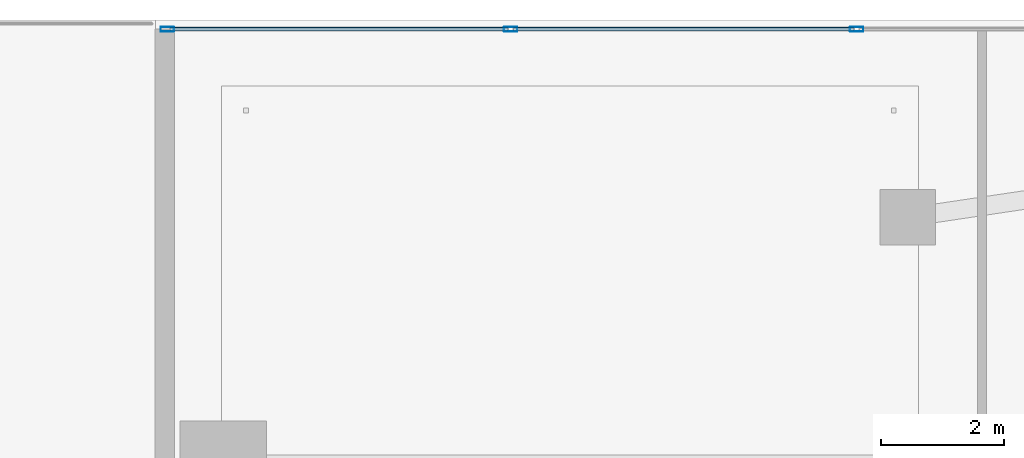
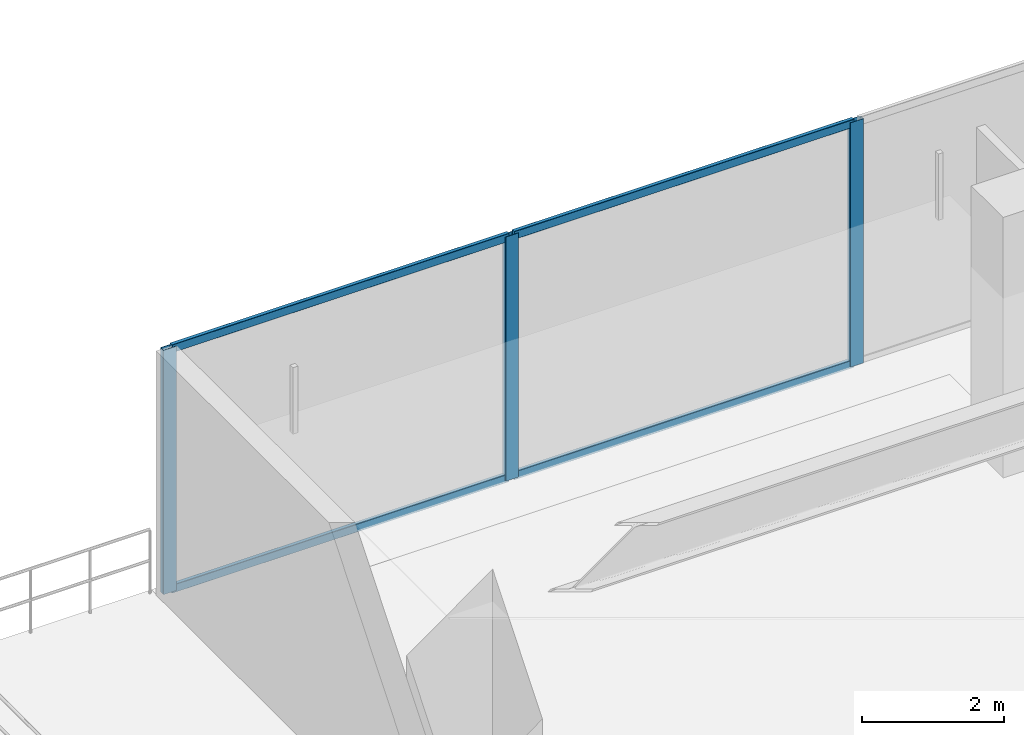
# One storey, part 9 of 29: 7 members, 1 element without a shape of its own.
"""IFC4 building model written with IfcOpenShell, lengths in metres."""

from ifc_helpers import new_model, si_unit, direction, frame, origin, origin_2d, place, context, subcontext, project, spatial, hollow_rectangle, extrude, material, layer, layer_set, material_profile, profile_set, type_object, element, aggregate, save


model = new_model("IFC4")

# Units and contexts
model_context = context("Model", 3, precision=1e-05, world=origin(), true_north=direction((0.0, 1.0)))
body_context = subcontext(model_context, "Body", "Model", "MODEL_VIEW")
ifc_project = project(units=[si_unit("LENGTHUNIT", "METRE"), si_unit("AREAUNIT", "SQUARE_METRE"), si_unit("VOLUMEUNIT", "CUBIC_METRE"), si_unit("PLANEANGLEUNIT", "RADIAN"), si_unit("MASSUNIT", "GRAM", prefix="KILO")], contexts=[model_context])

# Site, building, storey
site_placement = place(None, origin())
site = spatial("IfcSite", under=ifc_project, at=site_placement, CompositionType="ELEMENT")
building_placement = place(site_placement, origin())
building = spatial("IfcBuilding", under=site, at=building_placement, Name="Tarnavaz Court Tower", CompositionType="ELEMENT")
storey_placement = place(building_placement, frame((0.0, 0.0, 5.39990234375)))
storey = spatial("IfcBuildingStorey", under=building, at=storey_placement, Name="L01", CompositionType="ELEMENT", Elevation=5.39990234375)

# Curtain wall, members
ifc_material_1 = material(Name="Anodised Aluminium 6063-T6 and Solar Low-E Glazing", Category="aluminium")
ifc_layer = layer(ifc_material_1, 0.18994140625)
ifc_layer_set = layer_set([ifc_layer], Name="Anodised Aluminium 6063-T6 and Solar Low-E Glazing")
curtain_wall_type = type_object("IfcCurtainWallType", Name="CW-SYS-01", PredefinedType="NOTDEFINED", material=ifc_layer_set)
curtain_wall_placement = place(storey_placement, origin())
curtain_wall = element("IfcCurtainWall", 1, at=curtain_wall_placement, inside=storey, type_object=curtain_wall_type, Name="L01 Clinic Podium Curtain Wall 1", PredefinedType="NOTDEFINED")
ifc_material_2 = material(Name="Anodised Aluminium 6063-T6", Category="aluminium")
ifc_material_profile_1 = material_profile(ifc_material_2, hollow_rectangle(XDim=0.0849609375, YDim=0.219970703125, WallThickness=0.006103515625, InnerFilletRadius=0.006103515625, OuterFilletRadius=0.011962890625, at=origin_2d()), Name="ALU RHS 220X85X6")
ifc_profile_set_1 = profile_set([ifc_material_profile_1], Name="Anodised Aluminium 6063-T6")
member_type_1 = type_object("IfcMemberType", Name="CW-MUL-220", PredefinedType="MULLION", material=ifc_profile_set_1)
member_1_placement = place(storey_placement, frame((-28.8076171875, 29.85009765625, 0.0), z_axis=(0.0, 0.0, 1.0), x_axis=(0.0, 1.0, 0.0)))
member_1 = element("IfcMember", 2, at=member_1_placement, type_object=member_type_1, Name="CW mullion 1", PredefinedType="MULLION", context=body_context, shape_type="SweptSolid", body=[
    extrude(hollow_rectangle(XDim=0.0849609375, YDim=0.219970703125, WallThickness=0.006103515625, InnerFilletRadius=0.006103515625, OuterFilletRadius=0.011962890625, at=origin_2d()), origin(), (0.0, 0.0, 1.0), 4.2001953125),
])
member_2_placement = place(storey_placement, frame((-23.240966796875, 29.85009765625, 0.0), z_axis=(0.0, 0.0, 1.0), x_axis=(0.0, 1.0, 0.0)))
member_2 = element("IfcMember", 3, at=member_2_placement, type_object=member_type_1, Name="CW mullion 2", PredefinedType="MULLION", context=body_context, shape_type="SweptSolid", body=[
    extrude(hollow_rectangle(XDim=0.0849609375, YDim=0.219970703125, WallThickness=0.006103515625, InnerFilletRadius=0.006103515625, OuterFilletRadius=0.011962890625, at=origin_2d()), origin(), (0.0, 0.0, 1.0), 4.2001953125),
])
member_3_placement = place(storey_placement, frame((-17.6318359375, 29.85009765625, 0.0), z_axis=(0.0, 0.0, 1.0), x_axis=(0.0, 1.0, 0.0)))
member_3 = element("IfcMember", 4, at=member_3_placement, type_object=member_type_1, Name="CW mullion 3", PredefinedType="MULLION", context=body_context, shape_type="SweptSolid", body=[
    extrude(hollow_rectangle(XDim=0.0849609375, YDim=0.219970703125, WallThickness=0.006103515625, InnerFilletRadius=0.006103515625, OuterFilletRadius=0.011962890625, at=origin_2d()), origin(), (0.0, 0.0, 1.0), 4.2001953125),
])
ifc_material_profile_2 = material_profile(ifc_material_2, hollow_rectangle(XDim=0.06494140625, YDim=0.139892578125, WallThickness=0.00390625, InnerFilletRadius=0.00390625, OuterFilletRadius=0.008056640625, at=origin_2d()), Name="ALU RHS 140X65X4")
ifc_profile_set_2 = profile_set([ifc_material_profile_2], Name="Anodised Aluminium 6063-T6")
member_type_2 = type_object("IfcMemberType", Name="CW-TRN-140", PredefinedType="USERDEFINED", material=ifc_profile_set_2)
member_4_placement = place(storey_placement, frame((-28.764892578125, 29.85009765625, 0.03271484375), z_axis=(1.0, 0.0, 0.0), x_axis=(0.0, 1.0, 0.0)))
member_4 = element("IfcMember", 5, at=member_4_placement, type_object=member_type_2, Name="CW transom 1.1", ObjectType="TRANSOM", PredefinedType="USERDEFINED", context=body_context, shape_type="SweptSolid", body=[
    extrude(hollow_rectangle(XDim=0.06494140625, YDim=0.139892578125, WallThickness=0.00390625, InnerFilletRadius=0.00390625, OuterFilletRadius=0.008056640625, at=origin_2d()), origin(), (0.0, 0.0, 1.0), 5.4814453125),
])
member_5_placement = place(storey_placement, frame((-28.764892578125, 29.85009765625, 4.16748046875), z_axis=(1.0, 0.0, 0.0), x_axis=(0.0, 1.0, 0.0)))
member_5 = element("IfcMember", 6, at=member_5_placement, type_object=member_type_2, Name="CW transom 1.2", ObjectType="TRANSOM", PredefinedType="USERDEFINED", context=body_context, shape_type="SweptSolid", body=[
    extrude(hollow_rectangle(XDim=0.06494140625, YDim=0.139892578125, WallThickness=0.00390625, InnerFilletRadius=0.00390625, OuterFilletRadius=0.008056640625, at=origin_2d()), origin(), (0.0, 0.0, 1.0), 5.4814453125),
])
member_6_placement = place(storey_placement, frame((-23.198486328125, 29.85009765625, 0.03271484375), z_axis=(1.0, 0.0, 0.0), x_axis=(0.0, 1.0, 0.0)))
member_6 = element("IfcMember", 7, at=member_6_placement, type_object=member_type_2, Name="CW transom 2.1", ObjectType="TRANSOM", PredefinedType="USERDEFINED", context=body_context, shape_type="SweptSolid", body=[
    extrude(hollow_rectangle(XDim=0.06494140625, YDim=0.139892578125, WallThickness=0.00390625, InnerFilletRadius=0.00390625, OuterFilletRadius=0.008056640625, at=origin_2d()), origin(), (0.0, 0.0, 1.0), 5.524169921875),
])
member_7_placement = place(storey_placement, frame((-23.198486328125, 29.85009765625, 4.16748046875), z_axis=(1.0, 0.0, 0.0), x_axis=(0.0, 1.0, 0.0)))
member_7 = element("IfcMember", 8, at=member_7_placement, type_object=member_type_2, Name="CW transom 2.2", ObjectType="TRANSOM", PredefinedType="USERDEFINED", context=body_context, shape_type="SweptSolid", body=[
    extrude(hollow_rectangle(XDim=0.06494140625, YDim=0.139892578125, WallThickness=0.00390625, InnerFilletRadius=0.00390625, OuterFilletRadius=0.008056640625, at=origin_2d()), origin(), (0.0, 0.0, 1.0), 5.524169921875),
])
aggregate(curtain_wall, [member_1, member_2, member_3, member_4, member_5, member_6, member_7])

save(model, "model.ifc")
